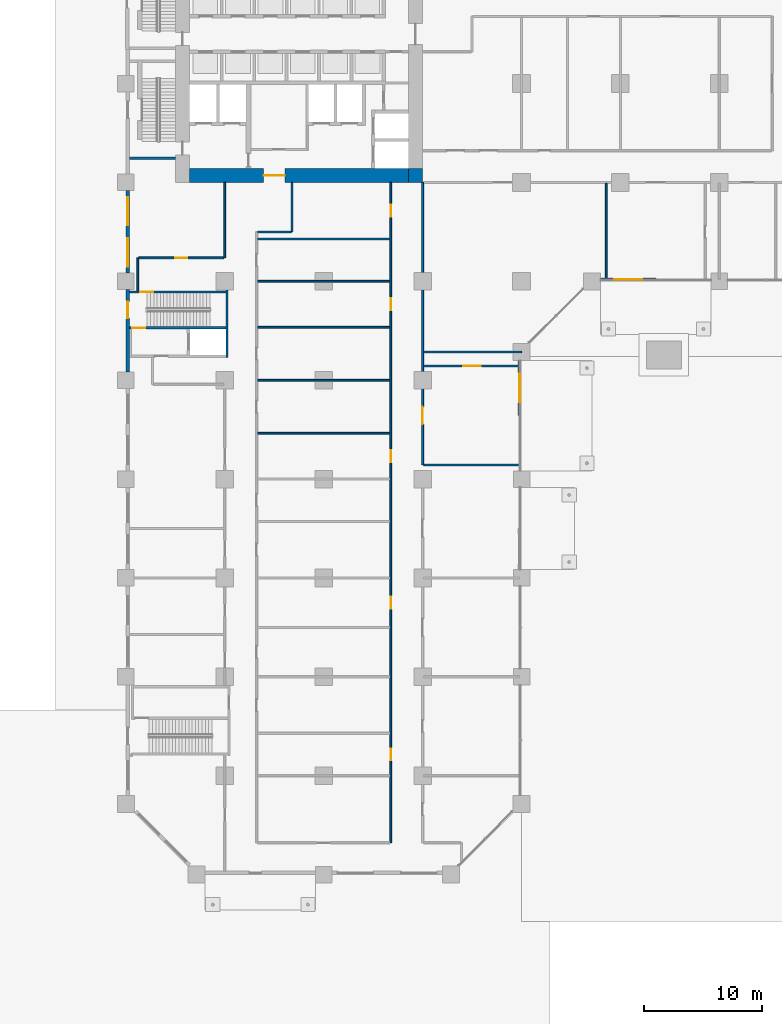
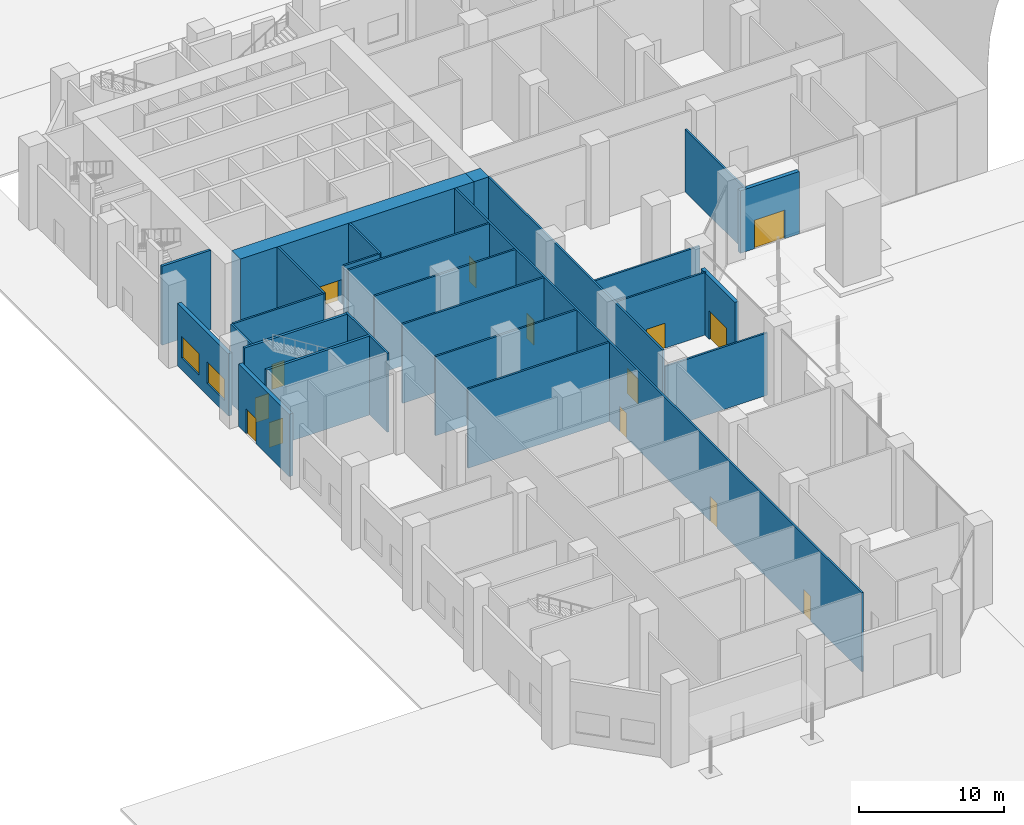
# One storey, part 16 of 32: 26 walls, 14 doors, 2 windows, 16 openings.
"""IFC4 building model written with IfcOpenShell, lengths in metres."""

from ifc_helpers import new_model, si_unit, direction, frame, frame_2d, origin, place, context, subcontext, project, spatial, rectangle, extrude, material, layer, layer_set, type_object, element, fill, save


model = new_model("IFC4")

# Units and contexts
model_context = context("Model", 3, precision=1e-05, world=origin(), true_north=direction((0.0, 1.0)))
body_context = subcontext(model_context, "Body", "Model", "MODEL_VIEW")
ifc_project = project(units=[si_unit("LENGTHUNIT", "METRE"), si_unit("AREAUNIT", "SQUARE_METRE"), si_unit("VOLUMEUNIT", "CUBIC_METRE"), si_unit("PLANEANGLEUNIT", "RADIAN"), si_unit("MASSUNIT", "GRAM", prefix="KILO")], contexts=[model_context])

# Site, building, storey
site_placement = place(None, origin())
site = spatial("IfcSite", under=ifc_project, at=site_placement, CompositionType="ELEMENT")
building_placement = place(site_placement, origin())
building = spatial("IfcBuilding", under=site, at=building_placement, Name="Kawkab Arch Medical Tower", CompositionType="ELEMENT")
storey_placement = place(building_placement, origin())
storey = spatial("IfcBuildingStorey", under=building, at=storey_placement, Name="L01", CompositionType="ELEMENT", Elevation=0.0)

# Wall, opening, door
ifc_material_1 = material(Name="Concrete C60/75", Category="concrete")
ifc_layer_1 = layer(ifc_material_1, 1.199951171875)
ifc_layer_set_1 = layer_set([ifc_layer_1], Name="Concrete C60/75")
wall_type_1 = type_object("IfcWallType", Name="Core ring wall 1200 C60/75", PredefinedType="SHEAR", material=ifc_layer_set_1)
wall_1_placement = place(storey_placement, frame((5.39990234375, -24.60009765625, 0.0), z_axis=(0.0, 0.0, 1.0), x_axis=(1.0, 0.0, 0.0)))
wall_1 = element("IfcWall", 1, at=wall_1_placement, inside=storey, type_object=wall_type_1, Name="L01 core wall", PredefinedType="SHEAR", context=body_context, shape_type="SweptSolid", body=[
    extrude(rectangle(XDim=18.60009765625, YDim=1.199951171875, at=frame_2d((9.300048828125, 0.0))), origin(), (0.0, 0.0, 1.0), 6.64990234375),
])
opening_1_placement = place(wall_1_placement, frame((6.300048828125, 0.0, 0.0)))
opening_1 = element("IfcOpeningElement", 2, at=opening_1_placement, cuts=wall_1, Name="Opening PD", PredefinedType="OPENING", context=body_context, shape_type="SweptSolid", body=[
    extrude(rectangle(XDim=1.800048828125, YDim=2.10009765625, at=frame_2d((0.89990234375, 1.050048828125))), frame((0.0, 0.60986328125, 0.0), z_axis=(0.0, -1.0, 0.0), x_axis=(1.0, 0.0, 0.0)), (0.0, 0.0, 1.0), 1.219970703125),
])
ifc_material_2 = material(Name="Hollow metal fire door leaf")
door_type_1 = type_object("IfcDoorType", Name="Core entrance doors 1800", OperationType="DOUBLE_DOOR_SINGLE_SWING", PredefinedType="DOOR", material=ifc_material_2)
door_1_placement = place(opening_1_placement, origin())
door_1 = element("IfcDoor", 3, at=door_1_placement, inside=storey, type_object=door_type_1, Name="L01 South entrance doors", OperationType="DOUBLE_DOOR_SINGLE_SWING", OverallHeight=2.10009765625, OverallWidth=1.800048828125, PredefinedType="DOOR", context=body_context, shape_type="SweptSolid", body=[
    extrude(rectangle(XDim=1.800048828125, YDim=2.10009765625, at=frame_2d((0.89990234375, 1.050048828125))), frame((0.0, 0.02490234375, 0.0), z_axis=(0.0, -1.0, 0.0), x_axis=(1.0, 0.0, 0.0)), (0.0, 0.0, 1.0), 0.050048828125),
])
fill(opening_1, door_1)

# Walls
wall_2_placement = place(storey_placement, frame((24.60009765625, -25.199951171875, 0.0), z_axis=(0.0, 0.0, 1.0), x_axis=(0.0, 1.0, 0.0)))
element("IfcWall", 4, at=wall_2_placement, inside=storey, type_object=wall_type_1, Name="L01 core wall", PredefinedType="SHEAR", context=body_context, shape_type="SweptSolid", body=[
    extrude(rectangle(XDim=1.199951171875, YDim=1.199951171875, at=frame_2d((0.60009765625, 0.0))), origin(), (0.0, 0.0, 1.0), 6.64990234375),
])
ifc_material_3 = material(Name="Gypsum board partition on steel studs, mineral wool", Category="steel")
ifc_layer_2 = layer(ifc_material_3, 0.14990234375)
ifc_layer_set_2 = layer_set([ifc_layer_2], Name="Gypsum board partition on steel studs, mineral wool")
wall_type_2 = type_object("IfcWallType", Name="Partition 150", PredefinedType="PARTITIONING", material=ifc_layer_set_2)
wall_3_placement = place(storey_placement, frame((25.299072265625, -49.199951171875, 0.0), z_axis=(0.0, 0.0, 1.0), x_axis=(1.0, 0.0, 0.0)))
element("IfcWall", 5, at=wall_3_placement, inside=storey, type_object=wall_type_2, Name="Partition 150 w017", PredefinedType="PARTITIONING", context=body_context, shape_type="SweptSolid", body=[
    extrude(rectangle(XDim=8.120849609375, YDim=0.14990234375, at=frame_2d((4.060546875, 0.0))), origin(), (0.0, 0.0, 1.0), 5.25),
])
for number, where, z_axis, x_axis, name in (
    (6, (11.175048828125, -46.5, 0.0), (0.0, 0.0, 1.0), (1.0, 0.0, 0.0), "Partition 150 w018"),
    (7, (11.175048828125, -42.0, 0.0), (0.0, 0.0, 1.0), (1.0, 0.0, 0.0), "Partition 150 w020"),
):
    element("IfcWall", number, at=place(storey_placement, frame(where, z_axis=z_axis, x_axis=x_axis)), inside=storey, type_object=wall_type_2, Name=name, PredefinedType="PARTITIONING", context=body_context, shape_type="SweptSolid", body=[
        extrude(rectangle(XDim=11.25, YDim=0.14990234375, at=frame_2d((5.625, 0.0))), origin(), (0.0, 0.0, 1.0), 6.64990234375),
    ])

# Wall, opening, door
wall_4_placement = place(storey_placement, frame((25.27490234375, -40.800048828125, 0.0), z_axis=(0.0, 0.0, 1.0), x_axis=(1.0, 0.0, 0.0)))
wall_4 = element("IfcWall", 8, at=wall_4_placement, inside=storey, type_object=wall_type_2, Name="Partition 150 w021", PredefinedType="PARTITIONING", context=body_context, shape_type="SweptSolid", body=[
    extrude(rectangle(XDim=8.14501953125, YDim=0.14990234375, at=frame_2d((4.072509765625, 0.0))), origin(), (0.0, 0.0, 1.0), 5.25),
])
opening_2_placement = place(wall_4_placement, frame((3.375, 0.0, 0.0)))
opening_2 = element("IfcOpeningElement", 9, at=opening_2_placement, cuts=wall_4, Name="Opening P01-014", PredefinedType="OPENING", context=body_context, shape_type="SweptSolid", body=[
    extrude(rectangle(XDim=1.5, YDim=2.10009765625, at=frame_2d((0.75, 1.050048828125))), frame((0.0, 0.0849609375, 0.0), z_axis=(0.0, -1.0, 0.0), x_axis=(1.0, 0.0, 0.0)), (0.0, 0.0, 1.0), 0.169921875),
])
ifc_material_4 = material(Name="Hollow metal door leaf")
door_type_2 = type_object("IfcDoorType", Name="Double door 1500x2100 FD30S", OperationType="NOTDEFINED", PredefinedType="DOOR", material=ifc_material_4)
door_2_placement = place(opening_2_placement, origin())
door_2 = element("IfcDoor", 10, at=door_2_placement, inside=storey, type_object=door_type_2, Name="Door P01-014", OperationType="DOUBLE_DOOR_SINGLE_SWING", OverallHeight=2.10009765625, OverallWidth=1.5, PredefinedType="DOOR", context=body_context, shape_type="SweptSolid", body=[
    extrude(rectangle(XDim=1.5, YDim=2.10009765625, at=frame_2d((0.75, 1.050048828125))), frame((0.0, 0.02490234375, 0.0), z_axis=(0.0, -1.0, 0.0), x_axis=(1.0, 0.0, 0.0)), (0.0, 0.0, 1.0), 0.050048828125),
])
fill(opening_2, door_2)

# Walls
wall_5_placement = place(storey_placement, frame((25.27490234375, -39.60009765625, 0.0), z_axis=(0.0, 0.0, 1.0), x_axis=(1.0, 0.0, 0.0)))
element("IfcWall", 11, at=wall_5_placement, inside=storey, type_object=wall_type_2, Name="Partition 150 w022", PredefinedType="PARTITIONING", context=body_context, shape_type="SweptSolid", body=[
    extrude(rectangle(XDim=8.3251953125, YDim=0.14990234375, at=frame_2d((4.16259765625, 0.0))), origin(), (0.0, 0.0, 1.0), 6.64990234375),
])
for number, where, z_axis, x_axis, name in (
    (12, (11.175048828125, -37.5, 0.0), (0.0, 0.0, 1.0), (1.0, 0.0, 0.0), "Partition 150 w023"),
    (13, (11.175048828125, -33.60009765625, 0.0), (0.0, 0.0, 1.0), (1.0, 0.0, 0.0), "Partition 150 w024"),
):
    element("IfcWall", number, at=place(storey_placement, frame(where, z_axis=z_axis, x_axis=x_axis)), inside=storey, type_object=wall_type_2, Name=name, PredefinedType="PARTITIONING", context=body_context, shape_type="SweptSolid", body=[
        extrude(rectangle(XDim=11.25, YDim=0.14990234375, at=frame_2d((5.625, 0.0))), origin(), (0.0, 0.0, 1.0), 6.64990234375),
    ])

# Wall, opening, door
wall_6_placement = place(storey_placement, frame((1.076904296875, -31.60693359375, 0.0), z_axis=(0.0, 0.0, 1.0), x_axis=(1.0, 0.0, 0.0)))
wall_6 = element("IfcWall", 14, at=wall_6_placement, inside=storey, type_object=wall_type_2, Name="Partition 150 w025", PredefinedType="PARTITIONING", context=body_context, shape_type="SweptSolid", body=[
    extrude(rectangle(XDim=7.248046875, YDim=0.14990234375, at=frame_2d((3.6240234375, 0.0))), origin(), (0.0, 0.0, 1.0), 6.64990234375),
])
opening_3_placement = place(wall_6_placement, frame((3.1240234375, 0.0, 0.0)))
opening_3 = element("IfcOpeningElement", 15, at=opening_3_placement, cuts=wall_6, Name="Opening P01-024", PredefinedType="OPENING", context=body_context, shape_type="SweptSolid", body=[
    extrude(rectangle(XDim=1.0, YDim=2.10009765625, at=frame_2d((0.5, 1.050048828125))), frame((0.0, 0.0849609375, 0.0), z_axis=(0.0, -1.0, 0.0), x_axis=(1.0, 0.0, 0.0)), (0.0, 0.0, 1.0), 0.169921875),
])
ifc_material_5 = material(Name="Hollow metal door leaf")
door_type_3 = type_object("IfcDoorType", Name="Single door 1000x2100 FD30S", OperationType="NOTDEFINED", PredefinedType="DOOR", material=ifc_material_5)
door_3_placement = place(opening_3_placement, origin())
door_3 = element("IfcDoor", 16, at=door_3_placement, inside=storey, type_object=door_type_3, Name="Door P01-024", OperationType="SINGLE_SWING_RIGHT", OverallHeight=2.10009765625, OverallWidth=1.0, PredefinedType="DOOR", context=body_context, shape_type="SweptSolid", body=[
    extrude(rectangle(XDim=1.0, YDim=2.10009765625, at=frame_2d((0.5, 1.050048828125))), frame((0.0, 0.02490234375, 0.0), z_axis=(0.0, -1.0, 0.0), x_axis=(1.0, 0.0, 0.0)), (0.0, 0.0, 1.0), 0.050048828125),
])
fill(opening_3, door_3)

# Walls
wall_7_placement = place(storey_placement, frame((11.175048828125, -30.0, 0.0), z_axis=(0.0, 0.0, 1.0), x_axis=(1.0, 0.0, 0.0)))
element("IfcWall", 17, at=wall_7_placement, inside=storey, type_object=wall_type_2, Name="Partition 150 w026", PredefinedType="PARTITIONING", context=body_context, shape_type="SweptSolid", body=[
    extrude(rectangle(XDim=11.25, YDim=0.14990234375, at=frame_2d((5.625, 0.0))), origin(), (0.0, 0.0, 1.0), 6.64990234375),
])
wall_8_placement = place(storey_placement, frame((11.175048828125, -29.39990234375, 0.0), z_axis=(0.0, 0.0, 1.0), x_axis=(1.0, 0.0, 0.0)))
element("IfcWall", 18, at=wall_8_placement, inside=storey, type_object=wall_type_2, Name="Partition 150 w027", PredefinedType="PARTITIONING", context=body_context, shape_type="SweptSolid", body=[
    extrude(rectangle(XDim=2.849853515625, YDim=0.14990234375, at=frame_2d((1.4248046875, 0.0))), origin(), (0.0, 0.0, 1.0), 6.64990234375),
])
wall_9_placement = place(storey_placement, frame((1.0, -34.39599609375, 0.0), z_axis=(0.0, 0.0, 1.0), x_axis=(0.0, 1.0, 0.0)))
element("IfcWall", 19, at=wall_9_placement, inside=storey, type_object=wall_type_2, Name="Partition 150 w039", PredefinedType="PARTITIONING", context=body_context, shape_type="SweptSolid", body=[
    extrude(rectangle(XDim=2.787109375, YDim=0.14990234375, at=frame_2d((1.3935546875, 0.0))), origin(), (0.0, 0.0, 1.0), 6.64990234375),
])
wall_10_placement = place(storey_placement, frame((8.39990234375, -31.60693359375, 0.0), z_axis=(0.0, 0.0, 1.0), x_axis=(0.0, 1.0, 0.0)))
element("IfcWall", 20, at=wall_10_placement, inside=storey, type_object=wall_type_2, Name="Partition 150 w044", PredefinedType="PARTITIONING", context=body_context, shape_type="SweptSolid", body=[
    extrude(rectangle(XDim=6.406982421875, YDim=0.14990234375, at=frame_2d((3.20361328125, 0.0))), origin(), (0.0, 0.0, 1.0), 6.64990234375),
])
wall_11_placement = place(storey_placement, frame((14.10009765625, -29.39990234375, 0.0), z_axis=(0.0, 0.0, 1.0), x_axis=(0.0, 1.0, 0.0)))
element("IfcWall", 21, at=wall_11_placement, inside=storey, type_object=wall_type_2, Name="Partition 150 w046", PredefinedType="PARTITIONING", context=body_context, shape_type="SweptSolid", body=[
    extrude(rectangle(XDim=4.199951171875, YDim=0.14990234375, at=frame_2d((2.10009765625, 0.0))), origin(), (0.0, 0.0, 1.0), 6.64990234375),
])

# Wall, openings, doors
wall_12_placement = place(storey_placement, frame((22.5, -81.300048828125, 0.0), z_axis=(0.0, 0.0, 1.0), x_axis=(0.0, 1.0, 0.0)))
wall_12 = element("IfcWall", 22, at=wall_12_placement, inside=storey, type_object=wall_type_2, Name="Partition 150 w047", PredefinedType="PARTITIONING", context=body_context, shape_type="SweptSolid", body=[
    extrude(rectangle(XDim=56.10009765625, YDim=0.14990234375, at=frame_2d((28.050048828125, 0.0))), origin(), (0.0, 0.0, 1.0), 6.64990234375),
])
opening_4_placement = place(wall_12_placement, frame((53.199951171875, 0.0, 0.0)))
opening_4 = element("IfcOpeningElement", 23, at=opening_4_placement, cuts=wall_12, Name="Opening P01-026", PredefinedType="OPENING", context=body_context, shape_type="SweptSolid", body=[
    extrude(rectangle(XDim=1.0, YDim=2.10009765625, at=frame_2d((0.5, 1.050048828125))), frame((0.0, 0.0849609375, 0.0), z_axis=(0.0, -1.0, 0.0), x_axis=(1.0, 0.0, 0.0)), (0.0, 0.0, 1.0), 0.169921875),
])
opening_5_placement = place(wall_12_placement, frame((45.25, 0.0, 0.0)))
opening_5 = element("IfcOpeningElement", 24, at=opening_5_placement, cuts=wall_12, Name="Opening P01-028", PredefinedType="OPENING", context=body_context, shape_type="SweptSolid", body=[
    extrude(rectangle(XDim=1.0, YDim=2.10009765625, at=frame_2d((0.5, 1.050048828125))), frame((0.0, 0.0849609375, 0.0), z_axis=(0.0, -1.0, 0.0), x_axis=(1.0, 0.0, 0.0)), (0.0, 0.0, 1.0), 0.169921875),
])
opening_6_placement = place(wall_12_placement, frame((32.35009765625, 0.0, 0.0)))
opening_6 = element("IfcOpeningElement", 25, at=opening_6_placement, cuts=wall_12, Name="Opening P01-031", PredefinedType="OPENING", context=body_context, shape_type="SweptSolid", body=[
    extrude(rectangle(XDim=1.0, YDim=2.10009765625, at=frame_2d((0.5, 1.050048828125))), frame((0.0, 0.0849609375, 0.0), z_axis=(0.0, -1.0, 0.0), x_axis=(1.0, 0.0, 0.0)), (0.0, 0.0, 1.0), 0.169921875),
])
opening_7_placement = place(wall_12_placement, frame((19.89990234375, 0.0, 0.0)))
opening_7 = element("IfcOpeningElement", 26, at=opening_7_placement, cuts=wall_12, Name="Opening P01-034", PredefinedType="OPENING", context=body_context, shape_type="SweptSolid", body=[
    extrude(rectangle(XDim=1.0, YDim=2.10009765625, at=frame_2d((0.5, 1.050048828125))), frame((0.0, 0.0849609375, 0.0), z_axis=(0.0, -1.0, 0.0), x_axis=(1.0, 0.0, 0.0)), (0.0, 0.0, 1.0), 0.169921875),
])
opening_8_placement = place(wall_12_placement, frame((7.0, 0.0, 0.0)))
opening_8 = element("IfcOpeningElement", 27, at=opening_8_placement, cuts=wall_12, Name="Opening P01-037", PredefinedType="OPENING", context=body_context, shape_type="SweptSolid", body=[
    extrude(rectangle(XDim=1.0, YDim=2.10009765625, at=frame_2d((0.5, 1.050048828125))), frame((0.0, 0.0849609375, 0.0), z_axis=(0.0, -1.0, 0.0), x_axis=(1.0, 0.0, 0.0)), (0.0, 0.0, 1.0), 0.169921875),
])
door_4_placement = place(opening_4_placement, origin())
door_4 = element("IfcDoor", 28, at=door_4_placement, inside=storey, type_object=door_type_3, Name="Door P01-026", OperationType="SINGLE_SWING_RIGHT", OverallHeight=2.10009765625, OverallWidth=1.0, PredefinedType="DOOR", context=body_context, shape_type="SweptSolid", body=[
    extrude(rectangle(XDim=1.0, YDim=2.10009765625, at=frame_2d((0.5, 1.050048828125))), frame((0.0, 0.02490234375, 0.0), z_axis=(0.0, -1.0, 0.0), x_axis=(1.0, 0.0, 0.0)), (0.0, 0.0, 1.0), 0.050048828125),
])
fill(opening_4, door_4)
door_5_placement = place(opening_5_placement, origin())
door_5 = element("IfcDoor", 29, at=door_5_placement, inside=storey, type_object=door_type_3, Name="Door P01-028", OperationType="SINGLE_SWING_RIGHT", OverallHeight=2.10009765625, OverallWidth=1.0, PredefinedType="DOOR", context=body_context, shape_type="SweptSolid", body=[
    extrude(rectangle(XDim=1.0, YDim=2.10009765625, at=frame_2d((0.5, 1.050048828125))), frame((0.0, 0.02490234375, 0.0), z_axis=(0.0, -1.0, 0.0), x_axis=(1.0, 0.0, 0.0)), (0.0, 0.0, 1.0), 0.050048828125),
])
fill(opening_5, door_5)
door_6_placement = place(opening_6_placement, origin())
door_6 = element("IfcDoor", 30, at=door_6_placement, inside=storey, type_object=door_type_3, Name="Door P01-031", OperationType="SINGLE_SWING_RIGHT", OverallHeight=2.10009765625, OverallWidth=1.0, PredefinedType="DOOR", context=body_context, shape_type="SweptSolid", body=[
    extrude(rectangle(XDim=1.0, YDim=2.10009765625, at=frame_2d((0.5, 1.050048828125))), frame((0.0, 0.02490234375, 0.0), z_axis=(0.0, -1.0, 0.0), x_axis=(1.0, 0.0, 0.0)), (0.0, 0.0, 1.0), 0.050048828125),
])
fill(opening_6, door_6)
door_7_placement = place(opening_7_placement, origin())
door_7 = element("IfcDoor", 31, at=door_7_placement, inside=storey, type_object=door_type_3, Name="Door P01-034", OperationType="SINGLE_SWING_LEFT", OverallHeight=2.10009765625, OverallWidth=1.0, PredefinedType="DOOR", context=body_context, shape_type="SweptSolid", body=[
    extrude(rectangle(XDim=1.0, YDim=2.10009765625, at=frame_2d((0.5, 1.050048828125))), frame((0.0, 0.02490234375, 0.0), z_axis=(0.0, -1.0, 0.0), x_axis=(1.0, 0.0, 0.0)), (0.0, 0.0, 1.0), 0.050048828125),
])
fill(opening_7, door_7)
door_8_placement = place(opening_8_placement, origin())
door_8 = element("IfcDoor", 32, at=door_8_placement, inside=storey, type_object=door_type_3, Name="Door P01-037", OperationType="SINGLE_SWING_LEFT", OverallHeight=2.10009765625, OverallWidth=1.0, PredefinedType="DOOR", context=body_context, shape_type="SweptSolid", body=[
    extrude(rectangle(XDim=1.0, YDim=2.10009765625, at=frame_2d((0.5, 1.050048828125))), frame((0.0, 0.02490234375, 0.0), z_axis=(0.0, -1.0, 0.0), x_axis=(1.0, 0.0, 0.0)), (0.0, 0.0, 1.0), 0.050048828125),
])
fill(opening_8, door_8)

# Wall, opening, door
wall_13_placement = place(storey_placement, frame((25.199951171875, -49.198974609375, 0.0), z_axis=(0.0, 0.0, 1.0), x_axis=(0.0, 1.0, 0.0)))
wall_13 = element("IfcWall", 33, at=wall_13_placement, inside=storey, type_object=wall_type_2, Name="Partition 150 w049", PredefinedType="PARTITIONING", context=body_context, shape_type="SweptSolid", body=[
    extrude(rectangle(XDim=23.9990234375, YDim=0.14990234375, at=frame_2d((11.99951171875, 0.0))), origin(), (0.0, 0.0, 1.0), 6.64990234375),
])
opening_9_placement = place(wall_13_placement, frame((3.449951171875, 0.0, 0.0)))
opening_9 = element("IfcOpeningElement", 34, at=opening_9_placement, cuts=wall_13, Name="Opening P01-003", PredefinedType="OPENING", context=body_context, shape_type="SweptSolid", body=[
    extrude(rectangle(XDim=1.5, YDim=2.10009765625, at=frame_2d((0.75, 1.050048828125))), frame((0.0, 0.0849609375, 0.0), z_axis=(0.0, -1.0, 0.0), x_axis=(1.0, 0.0, 0.0)), (0.0, 0.0, 1.0), 0.169921875),
])
door_9_placement = place(opening_9_placement, origin())
door_9 = element("IfcDoor", 35, at=door_9_placement, inside=storey, type_object=door_type_2, Name="Door P01-003", OperationType="DOUBLE_DOOR_SINGLE_SWING", OverallHeight=2.10009765625, OverallWidth=1.5, PredefinedType="DOOR", context=body_context, shape_type="SweptSolid", body=[
    extrude(rectangle(XDim=1.5, YDim=2.10009765625, at=frame_2d((0.75, 1.050048828125))), frame((0.0, 0.02490234375, 0.0), z_axis=(0.0, -1.0, 0.0), x_axis=(1.0, 0.0, 0.0)), (0.0, 0.0, 1.0), 0.050048828125),
])
fill(opening_9, door_9)

# Wall
wall_14_placement = place(storey_placement, frame((40.800048828125, -33.419921875, 0.0), z_axis=(0.0, 0.0, 1.0), x_axis=(0.0, 1.0, 0.0)))
element("IfcWall", 36, at=wall_14_placement, inside=storey, type_object=wall_type_2, Name="Partition 150 w057", PredefinedType="PARTITIONING", context=body_context, shape_type="SweptSolid", body=[
    extrude(rectangle(XDim=8.14501953125, YDim=0.14990234375, at=frame_2d((4.072509765625, 0.0))), origin(), (0.0, 0.0, 1.0), 5.25),
])

# Wall, opening, door
ifc_material_6 = material(Name="Bronze clad insulated wall panel")
ifc_layer_3 = layer(ifc_material_6, 0.300048828125)
ifc_layer_set_3 = layer_set([ifc_layer_3], Name="Bronze clad insulated wall panel")
wall_type_3 = type_object("IfcWallType", Name="Podium external wall 300", PredefinedType="SOLIDWALL", material=ifc_layer_set_3)
wall_15_placement = place(storey_placement, frame((33.449951171875, -45.012451171875, 0.0), z_axis=(0.0, 0.0, 1.0), x_axis=(0.0, 1.0, 0.0)))
wall_15 = element("IfcWall", 37, at=wall_15_placement, inside=storey, type_object=wall_type_3, Name="Entrance wall L01 R02.4.2", PredefinedType="SOLIDWALL", context=body_context, shape_type="SweptSolid", body=[
    extrude(rectangle(XDim=4.6875, YDim=0.300048828125, at=frame_2d((2.34375, 0.0))), origin(), (0.0, 0.0, 1.0), 5.25),
])
opening_10_placement = place(wall_15_placement, frame((1.143798828125, 0.0, 0.0)))
opening_10 = element("IfcOpeningElement", 38, at=opening_10_placement, cuts=wall_15, Name="Opening P01-502", PredefinedType="OPENING", context=body_context, shape_type="SweptSolid", body=[
    extrude(rectangle(XDim=2.39990234375, YDim=2.39990234375, at=frame_2d((1.199951171875, 1.199951171875))), frame((0.0, 0.159912109375, 0.0), z_axis=(0.0, -1.0, 0.0), x_axis=(1.0, 0.0, 0.0)), (0.0, 0.0, 1.0), 0.320068359375),
])
ifc_material_7 = material(Name="Bronze anodised aluminium door with tinted glass", Category="aluminium")
door_type_4 = type_object("IfcDoorType", Name="Double swing entrance door 2400 x 2400", OperationType="DOUBLE_DOOR_DOUBLE_SWING", PredefinedType="DOOR", material=ifc_material_7)
door_10_placement = place(opening_10_placement, origin())
door_10 = element("IfcDoor", 39, at=door_10_placement, inside=storey, type_object=door_type_4, Name="Emergency department ambulance entrance", OperationType="DOUBLE_DOOR_DOUBLE_SWING", OverallHeight=2.39990234375, OverallWidth=2.39990234375, PredefinedType="DOOR", context=body_context, shape_type="SweptSolid", body=[
    extrude(rectangle(XDim=2.39990234375, YDim=2.39990234375, at=frame_2d((1.199951171875, 1.199951171875))), frame((0.0, 0.02490234375, 0.0), z_axis=(0.0, -1.0, 0.0), x_axis=(1.0, 0.0, 0.0)), (0.0, 0.0, 1.0), 0.050048828125),
])
fill(opening_10, door_10)

wall_16_placement = place(storey_placement, frame((40.324951171875, -33.449951171875, 0.0), z_axis=(0.0, 0.0, 1.0), x_axis=(1.0, 0.0, 0.0)))
wall_16 = element("IfcWall", 40, at=wall_16_placement, inside=storey, type_object=wall_type_3, Name="Entrance wall L01 R04.1.1", PredefinedType="SOLIDWALL", context=body_context, shape_type="SweptSolid", body=[
    extrude(rectangle(XDim=4.6875, YDim=0.300048828125, at=frame_2d((2.34375, 0.0))), origin(), (0.0, 0.0, 1.0), 5.25),
])
opening_11_placement = place(wall_16_placement, frame((1.143798828125, 0.0, 0.0)))
opening_11 = element("IfcOpeningElement", 41, at=opening_11_placement, cuts=wall_16, Name="Opening P01-503", PredefinedType="OPENING", context=body_context, shape_type="SweptSolid", body=[
    extrude(rectangle(XDim=2.39990234375, YDim=2.39990234375, at=frame_2d((1.199951171875, 1.199951171875))), frame((0.0, 0.159912109375, 0.0), z_axis=(0.0, -1.0, 0.0), x_axis=(1.0, 0.0, 0.0)), (0.0, 0.0, 1.0), 0.320068359375),
])
ifc_material_8 = material(Name="Bronze anodised aluminium door with tinted glass", Category="aluminium")
door_type_5 = type_object("IfcDoorType", Name="Automatic sliding entrance door 2400 x 2400", OperationType="DOUBLE_DOOR_SLIDING", PredefinedType="DOOR", material=ifc_material_8)
door_11_placement = place(opening_11_placement, origin())
door_11 = element("IfcDoor", 42, at=door_11_placement, inside=storey, type_object=door_type_5, Name="Main entrance, diagnostic block", OperationType="DOUBLE_DOOR_SLIDING", OverallHeight=2.39990234375, OverallWidth=2.39990234375, PredefinedType="DOOR", context=body_context, shape_type="SweptSolid", body=[
    extrude(rectangle(XDim=2.39990234375, YDim=2.39990234375, at=frame_2d((1.199951171875, 1.199951171875))), frame((0.0, 0.02490234375, 0.0), z_axis=(0.0, -1.0, 0.0), x_axis=(1.0, 0.0, 0.0)), (0.0, 0.0, 1.0), 0.050048828125),
])
fill(opening_11, door_11)

# Wall, openings, windows
wall_17_placement = place(storey_placement, frame((0.14990234375, -25.89990234375, 0.0), z_axis=(0.0, 0.0, 1.0), x_axis=(0.0, -1.0, 0.0)))
wall_17 = element("IfcWall", 43, at=wall_17_placement, inside=storey, type_object=wall_type_3, Name="External wall L01 R11.3", PredefinedType="SOLIDWALL", context=body_context, shape_type="SweptSolid", body=[
    extrude(rectangle(XDim=7.0, YDim=0.300048828125, at=frame_2d((3.5, 0.0))), origin(), (0.0, 0.0, 1.0), 5.25),
])
opening_12_placement = place(wall_17_placement, frame((0.550048828125, 0.0, 1.0)))
opening_12 = element("IfcOpeningElement", 44, at=opening_12_placement, cuts=wall_17, Name="Opening PWN240-18-S10", PredefinedType="OPENING", context=body_context, shape_type="SweptSolid", body=[
    extrude(rectangle(XDim=2.39990234375, YDim=1.800048828125, at=frame_2d((1.199951171875, 0.89990234375))), frame((0.0, 0.159912109375, 0.0), z_axis=(0.0, -1.0, 0.0), x_axis=(1.0, 0.0, 0.0)), (0.0, 0.0, 1.0), 0.320068359375),
])
opening_13_placement = place(wall_17_placement, frame((4.050048828125, 0.0, 1.0)))
opening_13 = element("IfcOpeningElement", 45, at=opening_13_placement, cuts=wall_17, Name="Opening PWN240-18-S10", PredefinedType="OPENING", context=body_context, shape_type="SweptSolid", body=[
    extrude(rectangle(XDim=2.39990234375, YDim=1.800048828125, at=frame_2d((1.199951171875, 0.89990234375))), frame((0.0, 0.159912109375, 0.0), z_axis=(0.0, -1.0, 0.0), x_axis=(1.0, 0.0, 0.0)), (0.0, 0.0, 1.0), 0.320068359375),
])
ifc_material_9 = material(Name="Bronze anodised aluminium louvred window", Category="aluminium")
window_type = type_object("IfcWindowType", Name="Podium window 2400 x 1800 sill 1000", PartitioningType="DOUBLE_PANEL_VERTICAL", PredefinedType="WINDOW", material=ifc_material_9)
window_1_placement = place(opening_12_placement, origin())
window_1 = element("IfcWindow", 46, at=window_1_placement, inside=storey, type_object=window_type, Name="Window L01 R11.3.1", OverallHeight=1.800048828125, OverallWidth=2.39990234375, PartitioningType="SINGLE_PANEL", PredefinedType="WINDOW", context=body_context, shape_type="SweptSolid", body=[
    extrude(rectangle(XDim=2.39990234375, YDim=1.800048828125, at=frame_2d((1.199951171875, 0.89990234375))), frame((0.0, 0.030029296875, 0.0), z_axis=(0.0, -1.0, 0.0), x_axis=(1.0, 0.0, 0.0)), (0.0, 0.0, 1.0), 0.06005859375),
])
fill(opening_12, window_1)
window_2_placement = place(opening_13_placement, origin())
window_2 = element("IfcWindow", 47, at=window_2_placement, inside=storey, type_object=window_type, Name="Window L01 R11.3.2", OverallHeight=1.800048828125, OverallWidth=2.39990234375, PartitioningType="SINGLE_PANEL", PredefinedType="WINDOW", context=body_context, shape_type="SweptSolid", body=[
    extrude(rectangle(XDim=2.39990234375, YDim=1.800048828125, at=frame_2d((1.199951171875, 0.89990234375))), frame((0.0, 0.030029296875, 0.0), z_axis=(0.0, -1.0, 0.0), x_axis=(1.0, 0.0, 0.0)), (0.0, 0.0, 1.0), 0.06005859375),
])
fill(opening_13, window_2)

# Wall, opening, door
wall_18_placement = place(storey_placement, frame((0.14990234375, -34.300048828125, 0.0), z_axis=(0.0, 0.0, 1.0), x_axis=(0.0, -1.0, 0.0)))
wall_18 = element("IfcWall", 48, at=wall_18_placement, inside=storey, type_object=wall_type_3, Name="External wall L01 R11.4", PredefinedType="SOLIDWALL", context=body_context, shape_type="SweptSolid", body=[
    extrude(rectangle(XDim=7.0, YDim=0.300048828125, at=frame_2d((3.5, 0.0))), origin(), (0.0, 0.0, 1.0), 5.25),
])
opening_14_placement = place(wall_18_placement, frame((1.02490234375, 0.0, 0.0)))
opening_14 = element("IfcOpeningElement", 49, at=opening_14_placement, cuts=wall_18, Name="Opening P01-509", PredefinedType="OPENING", context=body_context, shape_type="SweptSolid", body=[
    extrude(rectangle(XDim=1.39990234375, YDim=2.10009765625, at=frame_2d((0.699951171875, 1.050048828125))), frame((0.0, 0.159912109375, 0.0), z_axis=(0.0, -1.0, 0.0), x_axis=(1.0, 0.0, 0.0)), (0.0, 0.0, 1.0), 0.320068359375),
])
ifc_material_10 = material(Name="Insulated steel door", Category="steel")
door_type_6 = type_object("IfcDoorType", Name="Stair discharge door 1400 x 2100", OperationType="DOUBLE_DOOR_SINGLE_SWING", PredefinedType="DOOR", material=ifc_material_10)
door_12_placement = place(opening_14_placement, frame((1.39990234375, 0.0, 0.0), z_axis=(0.0, 0.0, 1.0), x_axis=(-1.0, 0.0, 0.0)))
door_12 = element("IfcDoor", 50, at=door_12_placement, inside=storey, type_object=door_type_6, Name="Exit stair ST6 discharge", OperationType="DOUBLE_DOOR_SINGLE_SWING", OverallHeight=2.10009765625, OverallWidth=1.39990234375, PredefinedType="DOOR", context=body_context, shape_type="SweptSolid", body=[
    extrude(rectangle(XDim=1.39990234375, YDim=2.10009765625, at=frame_2d((0.699951171875, 1.050048828125))), frame((0.0, 0.02490234375, 0.0), z_axis=(0.0, -1.0, 0.0), x_axis=(1.0, 0.0, 0.0)), (0.0, 0.0, 1.0), 0.050048828125),
])
fill(opening_14, door_12)

# Walls
ifc_material_11 = material(Name="Concrete C50/60", Category="concrete")
ifc_layer_4 = layer(ifc_material_11, 0.14990234375)
ifc_layer_set_4 = layer_set([ifc_layer_4], Name="Concrete C50/60")
wall_type_4 = type_object("IfcWallType", Name="Stair enclosure wall 150 C50/60", PredefinedType="SHEAR", material=ifc_layer_set_4)
wall_19_placement = place(storey_placement, frame((8.574951171875, -40.050048828125, 0.0), z_axis=(0.0, 0.0, 1.0), x_axis=(0.0, 1.0, 0.0)))
element("IfcWall", 51, at=wall_19_placement, inside=storey, type_object=wall_type_4, Name="L01 stair enclosure wall", PredefinedType="SHEAR", context=body_context, shape_type="SweptSolid", body=[
    extrude(rectangle(XDim=5.699951171875, YDim=0.14990234375, at=frame_2d((2.85009765625, 0.0))), origin(), (0.0, 0.0, 1.0), 6.64990234375),
])
ifc_material_12 = material(Name="Concrete C50/60", Category="concrete")
ifc_layer_5 = layer(ifc_material_12, 0.199951171875)
ifc_layer_set_5 = layer_set([ifc_layer_5], Name="Concrete C50/60")
wall_type_5 = type_object("IfcWallType", Name="Stair enclosure wall 200 C50/60", PredefinedType="SHEAR", material=ifc_layer_set_5)
wall_20_placement = place(storey_placement, frame((0.300048828125, -23.14990234375, 0.0), z_axis=(0.0, 0.0, 1.0), x_axis=(1.0, 0.0, 0.0)))
element("IfcWall", 52, at=wall_20_placement, inside=storey, type_object=wall_type_5, Name="L01 stair enclosure wall", PredefinedType="SHEAR", context=body_context, shape_type="SweptSolid", body=[
    extrude(rectangle(XDim=3.89990234375, YDim=0.199951171875, at=frame_2d((1.949951171875, 0.0))), origin(), (0.0, 0.0, 1.0), 6.64990234375),
])

# Wall, opening, door
wall_21_placement = place(storey_placement, frame((0.300048828125, -34.5, 0.0), z_axis=(0.0, 0.0, 1.0), x_axis=(1.0, 0.0, 0.0)))
wall_21 = element("IfcWall", 53, at=wall_21_placement, inside=storey, type_object=wall_type_5, Name="L01 stair enclosure wall", PredefinedType="SHEAR", context=body_context, shape_type="SweptSolid", body=[
    extrude(rectangle(XDim=8.199951171875, YDim=0.199951171875, at=frame_2d((4.10009765625, 0.0))), origin(), (0.0, 0.0, 1.0), 6.64990234375),
])
opening_15_placement = place(wall_21_placement, frame((0.89990234375, 0.0, 0.0)))
opening_15 = element("IfcOpeningElement", 54, at=opening_15_placement, cuts=wall_21, Name="Opening SD", PredefinedType="OPENING", context=body_context, shape_type="SweptSolid", body=[
    extrude(rectangle(XDim=1.10009765625, YDim=2.10009765625, at=frame_2d((0.550048828125, 1.050048828125))), frame((0.0, 0.10986328125, 0.0), z_axis=(0.0, -1.0, 0.0), x_axis=(1.0, 0.0, 0.0)), (0.0, 0.0, 1.0), 0.219970703125),
])
ifc_material_13 = material(Name="Hollow metal fire door leaf")
door_type_7 = type_object("IfcDoorType", Name="Exit stair door 1100", OperationType="SINGLE_SWING_LEFT", PredefinedType="DOOR", material=ifc_material_13)
door_13_placement = place(opening_15_placement, origin())
door_13 = element("IfcDoor", 55, at=door_13_placement, inside=storey, type_object=door_type_7, Name="L01 Exit stair ST6 door", OperationType="SINGLE_SWING_LEFT", OverallHeight=2.10009765625, OverallWidth=1.10009765625, PredefinedType="DOOR", context=body_context, shape_type="SweptSolid", body=[
    extrude(rectangle(XDim=1.10009765625, YDim=2.10009765625, at=frame_2d((0.550048828125, 1.050048828125))), frame((0.0, 0.02490234375, 0.0), z_axis=(0.0, -1.0, 0.0), x_axis=(1.0, 0.0, 0.0)), (0.0, 0.0, 1.0), 0.050048828125),
])
fill(opening_15, door_13)

wall_22_placement = place(storey_placement, frame((0.300048828125, -37.550048828125, 0.0), z_axis=(0.0, 0.0, 1.0), x_axis=(1.0, 0.0, 0.0)))
wall_22 = element("IfcWall", 56, at=wall_22_placement, inside=storey, type_object=wall_type_5, Name="L01 stair enclosure wall", PredefinedType="SHEAR", context=body_context, shape_type="SweptSolid", body=[
    extrude(rectangle(XDim=8.199951171875, YDim=0.199951171875, at=frame_2d((4.10009765625, 0.0))), origin(), (0.0, 0.0, 1.0), 6.64990234375),
])
opening_16_placement = place(wall_22_placement, frame((0.25, 0.0, 0.0)))
opening_16 = element("IfcOpeningElement", 57, at=opening_16_placement, cuts=wall_22, Name="Opening SD", PredefinedType="OPENING", context=body_context, shape_type="SweptSolid", body=[
    extrude(rectangle(XDim=1.10009765625, YDim=2.10009765625, at=frame_2d((0.550048828125, 1.050048828125))), frame((0.0, 0.10986328125, 0.0), z_axis=(0.0, -1.0, 0.0), x_axis=(1.0, 0.0, 0.0)), (0.0, 0.0, 1.0), 0.219970703125),
])
door_14_placement = place(opening_16_placement, frame((1.10009765625, 0.0, 0.0), z_axis=(0.0, 0.0, 1.0), x_axis=(-1.0, 0.0, 0.0)))
door_14 = element("IfcDoor", 58, at=door_14_placement, inside=storey, type_object=door_type_7, Name="L01 Exit stair ST6 lobby door", OperationType="SINGLE_SWING_LEFT", OverallHeight=2.10009765625, OverallWidth=1.10009765625, PredefinedType="DOOR", context=body_context, shape_type="SweptSolid", body=[
    extrude(rectangle(XDim=1.10009765625, YDim=2.10009765625, at=frame_2d((0.550048828125, 1.050048828125))), frame((0.0, 0.02490234375, 0.0), z_axis=(0.0, -1.0, 0.0), x_axis=(1.0, 0.0, 0.0)), (0.0, 0.0, 1.0), 0.050048828125),
])
fill(opening_16, door_14)

save(model, "model.ifc")
